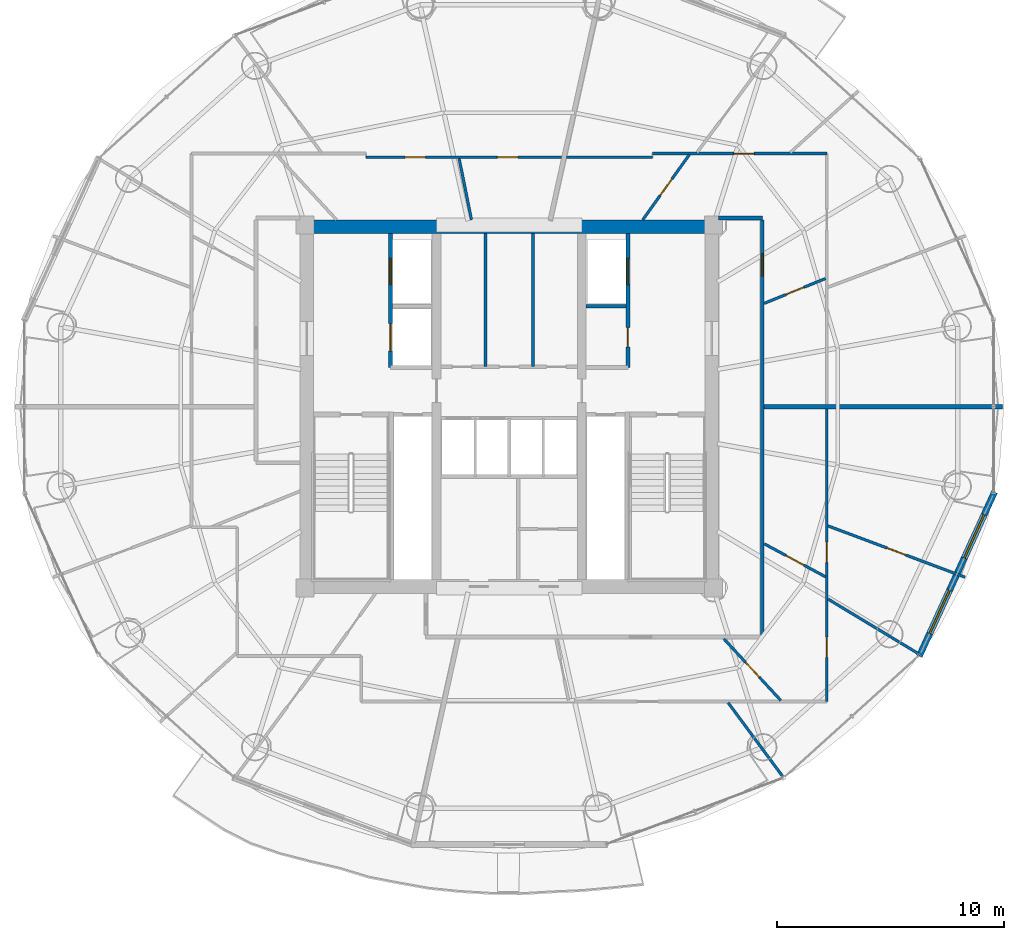
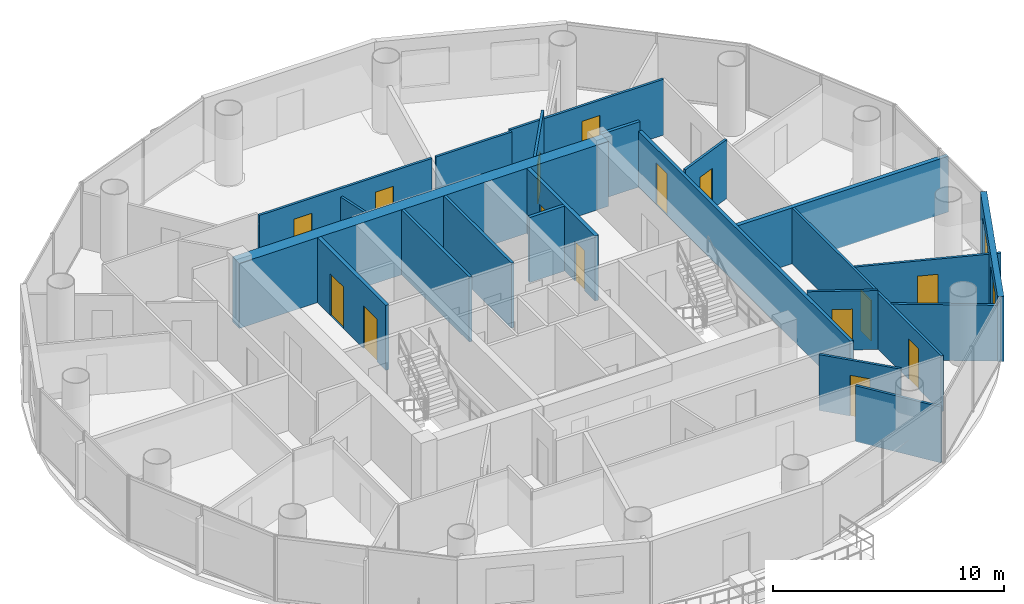
# One storey, part 22 of 26: 22 walls, 15 doors, 2 windows, 17 openings.
"""IFC4 building model written with IfcOpenShell, lengths in metres."""

from ifc_helpers import new_model, si_unit, direction, frame, frame_2d, origin, place, context, subcontext, project, spatial, rectangle, extrude, source, transform, mapped, material, layer, layer_set, type_object, element, fill, save


model = new_model("IFC4")

# Units and contexts
model_context = context("Model", 3, precision=1e-05, world=origin(), true_north=direction((-0.2419218956, 0.970295726276)))
body_context = subcontext(model_context, "Body", "Model", "MODEL_VIEW")
ifc_project = project(units=[si_unit("LENGTHUNIT", "METRE"), si_unit("AREAUNIT", "SQUARE_METRE"), si_unit("VOLUMEUNIT", "CUBIC_METRE"), si_unit("PLANEANGLEUNIT", "RADIAN"), si_unit("MASSUNIT", "GRAM", prefix="KILO")], contexts=[model_context])

# Site, building, storey
site_placement = place(None, origin())
site = spatial("IfcSite", under=ifc_project, at=site_placement, CompositionType="ELEMENT")
building_placement = place(site_placement, origin())
building = spatial("IfcBuilding", under=site, at=building_placement, Name="Cobrevalo Terracotta Tower", CompositionType="ELEMENT")
storey_placement = place(building_placement, frame((0.0, 0.0, 213.39990234375)))
storey = spatial("IfcBuildingStorey", under=building, at=storey_placement, Name="L56", CompositionType="ELEMENT", Elevation=213.39990234375)

# Walls
ifc_material_1 = material(Name="Concrete C55", Category="concrete")
ifc_layer_1 = layer(ifc_material_1, 0.60009765625)
ifc_layer_set_1 = layer_set([ifc_layer_1], Name="Concrete C55")
wall_type_1 = type_object("IfcWallType", Name="Core shear wall 600 mm Concrete C55", PredefinedType="SHEAR", material=ifc_layer_set_1)
wall_1_placement = place(storey_placement, frame((28.77490234375, 34.72509765625, 0.0), z_axis=(0.0, 0.0, 1.0), x_axis=(1.0, 0.0, 0.0)))
element("IfcWall", 1, at=wall_1_placement, inside=storey, type_object=wall_type_1, Name="L56 north core shear wall", PredefinedType="SHEAR", context=body_context, shape_type="SweptSolid", body=[
    extrude(rectangle(XDim=18.4501953125, YDim=0.60009765625, at=frame_2d((9.22509765625, 0.0))), origin(), (0.0, 0.0, 1.0), 3.43505859375),
])
ifc_material_2 = material(Name="Gypsum board on steel stud", Category="steel")
ifc_layer_2 = layer(ifc_material_2, 0.159912109375)
ifc_layer_set_2 = layer_set([ifc_layer_2], Name="Gypsum board on steel stud")
wall_type_2 = type_object("IfcWallType", Name="Fire-rated corridor acoustic partition wall 160 mm", PredefinedType="PARTITIONING", material=ifc_layer_set_2)
wall_2_placement = place(storey_placement, frame((41.389892578125, 31.219970703125, 0.0), z_axis=(0.0, 0.0, 1.0), x_axis=(1.0, 0.0, 0.0)))
element("IfcWall", 2, at=wall_2_placement, inside=storey, type_object=wall_type_2, Name="L56 interior partition IW-L56-FF2-M", PredefinedType="PARTITIONING", context=body_context, shape_type="SweptSolid", body=[
    extrude(rectangle(XDim=1.75, YDim=0.159912109375, at=frame_2d((0.875, 0.0))), origin(), (0.0, 0.0, 1.0), 3.43505859375),
])

# Wall, opening, door
wall_3_placement = place(storey_placement, frame((49.155029296875, 16.72509765625, 0.0), z_axis=(0.0, 0.0, 1.0), x_axis=(0.0, 1.0, 0.0)))
wall_3 = element("IfcWall", 3, at=wall_3_placement, inside=storey, type_object=wall_type_2, Name="L56 interior partition IW-L56-COR-E", PredefinedType="PARTITIONING", context=body_context, shape_type="SweptSolid", body=[
    extrude(rectangle(XDim=18.2998046875, YDim=0.159912109375, at=frame_2d((9.14990234375, 0.0))), origin(), (0.0, 0.0, 1.0), 2.951171875),
])
opening_1_placement = place(wall_3_placement, frame((15.836669921875, 0.0, 0.0)))
opening_1 = element("IfcOpeningElement", 4, at=opening_1_placement, cuts=wall_3, Name="Opening ID-05", PredefinedType="OPENING", context=body_context, shape_type="SweptSolid", body=[
    extrude(rectangle(XDim=0.97998046875, YDim=2.199951171875, at=frame_2d((0.489990234375, 1.10009765625))), frame((0.0, 0.08984375, 0.0), z_axis=(0.0, -1.0, 0.0), x_axis=(1.0, 0.0, 0.0)), (0.0, 0.0, 1.0), 0.179931640625),
])
ifc_material_3 = material(Name="Solid hardwood timber", Category="wood")
door_type_1 = type_object("IfcDoorType", Name="Residence entrance fire-rated acoustic timber door 980x2200 EI 60", OperationType="NOTDEFINED", PredefinedType="DOOR", material=ifc_material_3)
shared_shape_1 = source(origin(), body_context, "Body", "SweptSolid", [
    extrude(rectangle(XDim=0.97998046875, YDim=2.199951171875, at=frame_2d((0.489990234375, 1.10009765625))), frame((0.0, 0.02490234375, 0.0), z_axis=(0.0, -1.0, 0.0), x_axis=(1.0, 0.0, 0.0)), (0.0, 0.0, 1.0), 0.050048828125),
])
door_1_placement = place(opening_1_placement, frame((0.97998046875, 0.0, 0.0), z_axis=(0.0, 0.0, 1.0), x_axis=(-1.0, 0.0, 0.0)))
door_1 = element("IfcDoor", 5, at=door_1_placement, inside=storey, type_object=door_type_1, Name="Flat L56A fire-rated apartment entrance door", OperationType="SINGLE_SWING_RIGHT", OverallHeight=2.199951171875, OverallWidth=0.97998046875, PredefinedType="DOOR", context=body_context, shape_type="MappedRepresentation", body=[
    mapped(shared_shape_1, transform((0.0, 0.0, 0.0), scale=1.0)),
])
fill(opening_1, door_1)

# Wall
wall_4_placement = place(storey_placement, frame((47.22509765625, 35.10498046875, 0.0), z_axis=(0.0, 0.0, 1.0), x_axis=(1.0, 0.0, 0.0)))
element("IfcWall", 6, at=wall_4_placement, inside=storey, type_object=wall_type_2, Name="L56 interior partition IW-L56-COR-EN-CAP", PredefinedType="PARTITIONING", context=body_context, shape_type="SweptSolid", body=[
    extrude(rectangle(XDim=1.929931640625, YDim=0.159912109375, at=frame_2d((0.96484375, 0.0))), origin(), (0.0, 0.0, 1.0), 3.43505859375),
])

# Wall, openings, doors
ifc_layer_3 = layer(ifc_material_2, 0.179931640625)
ifc_layer_set_3 = layer_set([ifc_layer_3], Name="Gypsum board on steel stud")
wall_type_3 = type_object("IfcWallType", Name="Fire-rated shaft & lobby acoustic partition wall 180 mm", PredefinedType="PARTITIONING", material=ifc_layer_set_3)
wall_5_placement = place(storey_placement, frame((32.77001953125, 28.52001953125, 0.0), z_axis=(0.0, 0.0, 1.0), x_axis=(0.0, 1.0, 0.0)))
wall_5 = element("IfcWall", 7, at=wall_5_placement, inside=storey, type_object=wall_type_3, Name="L56 interior partition IW-L56-FF1-W", PredefinedType="PARTITIONING", context=body_context, shape_type="SweptSolid", body=[
    extrude(rectangle(XDim=5.905029296875, YDim=0.179931640625, at=frame_2d((2.95263671875, 0.0))), origin(), (0.0, 0.0, 1.0), 3.43505859375),
])
opening_2_placement = place(wall_5_placement, frame((3.655029296875, 0.0, 0.0)))
opening_2 = element("IfcOpeningElement", 8, at=opening_2_placement, cuts=wall_5, Name="Opening LD-02", PredefinedType="OPENING", context=body_context, shape_type="SweptSolid", body=[
    extrude(rectangle(XDim=1.14990234375, YDim=2.199951171875, at=frame_2d((0.574951171875, 1.10009765625))), frame((0.0, 0.10009765625, 0.0), z_axis=(0.0, -1.0, 0.0), x_axis=(1.0, 0.0, 0.0)), (0.0, 0.0, 1.0), 0.199951171875),
])
opening_3_placement = place(wall_5_placement, frame((0.72998046875, 0.0, 0.0)))
opening_3 = element("IfcOpeningElement", 9, at=opening_3_placement, cuts=wall_5, Name="Opening LD-03", PredefinedType="OPENING", context=body_context, shape_type="SweptSolid", body=[
    extrude(rectangle(XDim=1.199951171875, YDim=2.25, at=frame_2d((0.60009765625, 1.125))), frame((0.0, 0.10009765625, 0.0), z_axis=(0.0, -1.0, 0.0), x_axis=(1.0, 0.0, 0.0)), (0.0, 0.0, 1.0), 0.199951171875),
])
ifc_material_4 = material(Name="Brushed stainless steel", Category="steel")
door_type_2 = type_object("IfcDoorType", Name="Firefighting lift landing bi-parting sliding door 1150x2200 EI 120", OperationType="DOUBLE_DOOR_SLIDING", PredefinedType="DOOR", material=ifc_material_4)
shared_shape_2 = source(origin(), body_context, "Body", "SweptSolid", [
    extrude(rectangle(XDim=1.14990234375, YDim=2.199951171875, at=frame_2d((0.574951171875, 1.10009765625))), frame((0.0, 0.02490234375, 0.0), z_axis=(0.0, -1.0, 0.0), x_axis=(1.0, 0.0, 0.0)), (0.0, 0.0, 1.0), 0.050048828125),
])
door_2_placement = place(opening_2_placement, origin())
door_2 = element("IfcDoor", 10, at=door_2_placement, inside=storey, type_object=door_type_2, Name="L56 lift landing door FF-1", OperationType="DOUBLE_DOOR_SLIDING", OverallHeight=2.199951171875, OverallWidth=1.14990234375, PredefinedType="DOOR", context=body_context, shape_type="MappedRepresentation", body=[
    mapped(shared_shape_2, transform((0.0, 0.0, 0.0), scale=1.0)),
])
fill(opening_2, door_2)
door_type_3 = type_object("IfcDoorType", Name="Service lift landing bi-parting sliding door 1200x2250 EI 120", OperationType="DOUBLE_DOOR_SLIDING", PredefinedType="DOOR", material=ifc_material_4)
shared_shape_3 = source(origin(), body_context, "Body", "SweptSolid", [
    extrude(rectangle(XDim=1.199951171875, YDim=2.25, at=frame_2d((0.60009765625, 1.125))), frame((0.0, 0.02490234375, 0.0), z_axis=(0.0, -1.0, 0.0), x_axis=(1.0, 0.0, 0.0)), (0.0, 0.0, 1.0), 0.050048828125),
])
door_3_placement = place(opening_3_placement, origin())
door_3 = element("IfcDoor", 11, at=door_3_placement, inside=storey, type_object=door_type_3, Name="L56 lift landing door SV-1", OperationType="DOUBLE_DOOR_SLIDING", OverallHeight=2.25, OverallWidth=1.199951171875, PredefinedType="DOOR", context=body_context, shape_type="MappedRepresentation", body=[
    mapped(shared_shape_3, transform((0.0, 0.0, 0.0), scale=1.0)),
])
fill(opening_3, door_3)

wall_6_placement = place(storey_placement, frame((43.22998046875, 28.52001953125, 0.0), z_axis=(0.0, 0.0, 1.0), x_axis=(0.0, 1.0, 0.0)))
wall_6 = element("IfcWall", 12, at=wall_6_placement, inside=storey, type_object=wall_type_3, Name="L56 interior partition IW-L56-FF2-E", PredefinedType="PARTITIONING", context=body_context, shape_type="SweptSolid", body=[
    extrude(rectangle(XDim=5.905029296875, YDim=0.179931640625, at=frame_2d((2.95263671875, 0.0))), origin(), (0.0, 0.0, 1.0), 3.43505859375),
])
opening_4_placement = place(wall_6_placement, frame((0.905029296875, 0.0, 0.0)))
opening_4 = element("IfcOpeningElement", 13, at=opening_4_placement, cuts=wall_6, Name="Opening ID-22", PredefinedType="OPENING", context=body_context, shape_type="SweptSolid", body=[
    extrude(rectangle(XDim=0.85009765625, YDim=2.10009765625, at=frame_2d((0.425048828125, 1.050048828125))), frame((0.0, 0.10009765625, 0.0), z_axis=(0.0, -1.0, 0.0), x_axis=(1.0, 0.0, 0.0)), (0.0, 0.0, 1.0), 0.199951171875),
])
opening_5_placement = place(wall_6_placement, frame((3.655029296875, 0.0, 0.0)))
opening_5 = element("IfcOpeningElement", 14, at=opening_5_placement, cuts=wall_6, Name="Opening LD-02", PredefinedType="OPENING", context=body_context, shape_type="SweptSolid", body=[
    extrude(rectangle(XDim=1.14990234375, YDim=2.199951171875, at=frame_2d((0.574951171875, 1.10009765625))), frame((0.0, 0.10009765625, 0.0), z_axis=(0.0, -1.0, 0.0), x_axis=(1.0, 0.0, 0.0)), (0.0, 0.0, 1.0), 0.199951171875),
])
ifc_material_5 = material(Name="Powder-coated steel", Category="steel")
door_type_4 = type_object("IfcDoorType", Name="Riser shaft & meter closet fire access door 850x2100 EI 60", OperationType="NOTDEFINED", PredefinedType="DOOR", material=ifc_material_5)
shared_shape_4 = source(origin(), body_context, "Body", "SweptSolid", [
    extrude(rectangle(XDim=0.85009765625, YDim=2.10009765625, at=frame_2d((0.425048828125, 1.050048828125))), frame((0.0, 0.02490234375, 0.0), z_axis=(0.0, -1.0, 0.0), x_axis=(1.0, 0.0, 0.0)), (0.0, 0.0, 1.0), 0.050048828125),
])
door_4_placement = place(opening_4_placement, frame((0.85009765625, 0.0, 0.0), z_axis=(0.0, 0.0, 1.0), x_axis=(-1.0, 0.0, 0.0)))
door_4 = element("IfcDoor", 15, at=door_4_placement, inside=storey, type_object=door_type_4, Name="L56 housekeeping store door", OperationType="SINGLE_SWING_RIGHT", OverallHeight=2.10009765625, OverallWidth=0.85009765625, PredefinedType="DOOR", context=body_context, shape_type="MappedRepresentation", body=[
    mapped(shared_shape_4, transform((0.0, 0.0, 0.0), scale=1.0)),
])
fill(opening_4, door_4)
door_5_placement = place(opening_5_placement, origin())
door_5 = element("IfcDoor", 16, at=door_5_placement, inside=storey, type_object=door_type_2, Name="L56 lift landing door FF-2", OperationType="DOUBLE_DOOR_SLIDING", OverallHeight=2.199951171875, OverallWidth=1.14990234375, PredefinedType="DOOR", context=body_context, shape_type="MappedRepresentation", body=[
    mapped(shared_shape_2, transform((0.0, 0.0, 0.0), scale=1.0)),
])
fill(opening_5, door_5)

# Wall
ifc_material_6 = material(Name="Autoclaved aerated concrete block", Category="concrete")
ifc_layer_4 = layer(ifc_material_6, 0.199951171875)
ifc_layer_set_4 = layer_set([ifc_layer_4], Name="Autoclaved aerated concrete block")
wall_type_4 = type_object("IfcWallType", Name="Fire-rated stair, shaft & demising masonry wall 200 mm", PredefinedType="PARTITIONING", material=ifc_layer_set_4)
wall_7_placement = place(storey_placement, frame((49.237060546875, 26.800048828125, 0.0), z_axis=(0.0, 0.0, 1.0), x_axis=(1.0, 0.0, 0.0)))
element("IfcWall", 17, at=wall_7_placement, inside=storey, type_object=wall_type_4, Name="L56 interior partition IW-L56-DEM-1", PredefinedType="PARTITIONING", context=body_context, shape_type="SweptSolid", body=[
    extrude(rectangle(XDim=10.5029296875, YDim=0.199951171875, at=frame_2d((5.25146484375, 0.0))), origin(), (0.0, 0.0, 1.0), 2.951171875),
])

# Wall, openings, windows
ifc_layer_5 = layer(ifc_material_6, 0.280029296875)
ifc_layer_set_5 = layer_set([ifc_layer_5], Name="Autoclaved aerated concrete block")
wall_type_5 = type_object("IfcWallType", Name="Insulated tower spandrel & pier wall 280 mm with terracotta rainscreen", PredefinedType="SOLIDWALL", material=ifc_layer_set_5)
wall_8_placement = place(storey_placement, frame((56.06787109375, 15.79931640625, 0.0), z_axis=(0.0, 0.0, 1.0), x_axis=(0.416717018135, 0.909036262641, 0.0)))
wall_8 = element("IfcWall", 18, at=wall_8_placement, inside=storey, type_object=wall_type_5, Name="L56 terracotta rainscreen pier wall S15", PredefinedType="SOLIDWALL", context=body_context, shape_type="SweptSolid", body=[
    extrude(rectangle(XDim=7.960205078125, YDim=0.280029296875, at=frame_2d((3.97998046875, 0.0))), origin(), (0.0, 0.0, 1.0), 3.43505859375),
])
opening_6_placement = place(wall_8_placement, frame((1.099365234375, 0.0, 0.85009765625)))
opening_6 = element("IfcOpeningElement", 19, at=opening_6_placement, cuts=wall_8, Name="Opening WN-10", PredefinedType="OPENING", context=body_context, shape_type="SweptSolid", body=[
    extrude(rectangle(XDim=2.10009765625, YDim=1.949951171875, at=frame_2d((1.050048828125, 0.97509765625))), frame((0.0, 0.14990234375, 0.0), z_axis=(0.0, -1.0, 0.0), x_axis=(1.0, 0.0, 0.0)), (0.0, 0.0, 1.0), 0.300048828125),
])
opening_7_placement = place(wall_8_placement, frame((4.760986328125, 0.0, 0.85009765625)))
opening_7 = element("IfcOpeningElement", 20, at=opening_7_placement, cuts=wall_8, Name="Opening WN-10", PredefinedType="OPENING", context=body_context, shape_type="SweptSolid", body=[
    extrude(rectangle(XDim=2.10009765625, YDim=1.949951171875, at=frame_2d((1.050048828125, 0.97509765625))), frame((0.0, 0.14990234375, 0.0), z_axis=(0.0, -1.0, 0.0), x_axis=(1.0, 0.0, 0.0)), (0.0, 0.0, 1.0), 0.300048828125),
])
ifc_material_7 = material(Name="Solar-control low-E double glazing", Category="glass")
window_type = type_object("IfcWindowType", Name="Wide panoramic low-E aluminium window 2100x1950", PartitioningType="SINGLE_PANEL", PredefinedType="WINDOW", material=ifc_material_7)
shared_shape_5 = source(origin(), body_context, "Body", "SweptSolid", [
    extrude(rectangle(XDim=2.10009765625, YDim=1.949951171875, at=frame_2d((1.050048828125, 0.97509765625))), frame((0.0, 0.030029296875, 0.0), z_axis=(0.0, -1.0, 0.0), x_axis=(1.0, 0.0, 0.0)), (0.0, 0.0, 1.0), 0.06005859375),
])
window_1_placement = place(opening_6_placement, origin())
window_1 = element("IfcWindow", 21, at=window_1_placement, inside=storey, type_object=window_type, Name="L56 suite window S15A", OverallHeight=1.949951171875, OverallWidth=2.10009765625, PartitioningType="SINGLE_PANEL", PredefinedType="WINDOW", context=body_context, shape_type="MappedRepresentation", body=[
    mapped(shared_shape_5, transform((0.0, 0.0, 0.0), scale=1.0)),
])
fill(opening_6, window_1)
window_2_placement = place(opening_7_placement, origin())
window_2 = element("IfcWindow", 22, at=window_2_placement, inside=storey, type_object=window_type, Name="L56 suite window S15B", OverallHeight=1.949951171875, OverallWidth=2.10009765625, PartitioningType="SINGLE_PANEL", PredefinedType="WINDOW", context=body_context, shape_type="MappedRepresentation", body=[
    mapped(shared_shape_5, transform((0.0, 0.0, 0.0), scale=1.0)),
])
fill(opening_7, window_2)

# Walls
ifc_layer_6 = layer(ifc_material_6, 0.139892578125)
ifc_layer_set_6 = layer_set([ifc_layer_6], Name="Autoclaved aerated concrete block")
wall_type_6 = type_object("IfcWallType", Name="Moisture-resistant wet-room & core service partition 140 mm", PredefinedType="PARTITIONING", material=ifc_layer_set_6)
for number, where, z_axis, x_axis, name in (
    (23, (36.949951171875, 28.56005859375, 0.0), (0.0, 0.0, 1.0), (0.0, 1.0, 0.0), "L56 interior partition IW-L56-KVN-A"),
    (24, (39.050048828125, 28.56005859375, 0.0), (0.0, 0.0, 1.0), (0.0, 1.0, 0.0), "L56 interior partition IW-L56-KVN-B"),
):
    element("IfcWall", number, at=place(storey_placement, frame(where, z_axis=z_axis, x_axis=x_axis)), inside=storey, type_object=wall_type_6, Name=name, PredefinedType="PARTITIONING", context=body_context, shape_type="SweptSolid", body=[
        extrude(rectangle(XDim=5.864990234375, YDim=0.139892578125, at=frame_2d((2.9326171875, 0.0))), origin(), (0.0, 0.0, 1.0), 3.43505859375),
    ])
ifc_layer_7 = layer(ifc_material_2, 0.1201171875)
ifc_layer_set_7 = layer_set([ifc_layer_7], Name="Gypsum board on steel stud")
wall_type_7 = type_object("IfcWallType", Name="Residential internal acoustic stud partition 120 mm", PredefinedType="PARTITIONING", material=ifc_layer_set_7)
wall_9_placement = place(storey_placement, frame((40.52001953125, 37.784912109375, 0.0), z_axis=(0.0, 0.0, 1.0), x_axis=(1.0, 0.0, 0.0)))
element("IfcWall", 25, at=wall_9_placement, inside=storey, type_object=wall_type_7, Name="L56 interior partition IW-L56-U1-RING0_0", PredefinedType="PARTITIONING", context=body_context, shape_type="SweptSolid", body=[
    extrude(rectangle(XDim=3.784912109375, YDim=0.1201171875, at=frame_2d((1.892578125, 0.0))), origin(), (0.0, 0.0, 1.0), 2.951171875),
])

# Wall, opening, door
wall_10_placement = place(storey_placement, frame((44.304931640625, 37.945068359375, 0.0), z_axis=(0.0, 0.0, 1.0), x_axis=(1.0, 0.0, 0.0)))
wall_10 = element("IfcWall", 26, at=wall_10_placement, inside=storey, type_object=wall_type_7, Name="L56 interior partition IW-L56-U1-RING2_0", PredefinedType="PARTITIONING", context=body_context, shape_type="SweptSolid", body=[
    extrude(rectangle(XDim=7.690185546875, YDim=0.1201171875, at=frame_2d((3.84521484375, 0.0))), origin(), (0.0, 0.0, 1.0), 2.951171875),
])
opening_8_placement = place(wall_10_placement, frame((3.591064453125, 0.0, 0.0)))
opening_8 = element("IfcOpeningElement", 27, at=opening_8_placement, cuts=wall_10, Name="Opening ID-12", PredefinedType="OPENING", context=body_context, shape_type="SweptSolid", body=[
    extrude(rectangle(XDim=0.89990234375, YDim=2.14990234375, at=frame_2d((0.449951171875, 1.074951171875))), frame((0.0, 0.070068359375, 0.0), z_axis=(0.0, -1.0, 0.0), x_axis=(1.0, 0.0, 0.0)), (0.0, 0.0, 1.0), 0.14013671875),
])
ifc_material_8 = material(Name="Engineered timber", Category="wood")
door_type_5 = type_object("IfcDoorType", Name="Internal residence & suite timber door 900x2150", OperationType="NOTDEFINED", PredefinedType="DOOR", material=ifc_material_8)
shared_shape_6 = source(origin(), body_context, "Body", "SweptSolid", [
    extrude(rectangle(XDim=0.89990234375, YDim=2.14990234375, at=frame_2d((0.449951171875, 1.074951171875))), frame((0.0, 0.02490234375, 0.0), z_axis=(0.0, -1.0, 0.0), x_axis=(1.0, 0.0, 0.0)), (0.0, 0.0, 1.0), 0.050048828125),
])
door_6_placement = place(opening_8_placement, origin())
door_6 = element("IfcDoor", 28, at=door_6_placement, inside=storey, type_object=door_type_5, Name="Flat L56A Principal Guest Bedroom internal door", OperationType="SINGLE_SWING_RIGHT", OverallHeight=2.14990234375, OverallWidth=0.89990234375, PredefinedType="DOOR", context=body_context, shape_type="MappedRepresentation", body=[
    mapped(shared_shape_6, transform((0.0, 0.0, 0.0), scale=1.0)),
])
fill(opening_8, door_6)

wall_11_placement = place(storey_placement, frame((49.23681640625, 31.347412109375, 0.0), z_axis=(0.0, 0.0, 1.0), x_axis=(0.926960690293, 0.375158471383, 0.0)))
wall_11 = element("IfcWall", 29, at=wall_11_placement, inside=storey, type_object=wall_type_7, Name="L56 interior partition IW-L56-U1-IRAD1", PredefinedType="PARTITIONING", context=body_context, shape_type="SweptSolid", body=[
    extrude(rectangle(XDim=2.91357421875, YDim=0.1201171875, at=frame_2d((1.456787109375, 0.0))), origin(), (0.0, 0.0, 1.0), 3.110107421875),
])
opening_9_placement = place(wall_11_placement, frame((1.026611328125, 0.0, 0.0)))
opening_9 = element("IfcOpeningElement", 30, at=opening_9_placement, cuts=wall_11, Name="Opening ID-19", PredefinedType="OPENING", context=body_context, shape_type="SweptSolid", body=[
    extrude(rectangle(XDim=0.860107421875, YDim=2.14990234375, at=frame_2d((0.43017578125, 1.074951171875))), frame((0.0, 0.070068359375, 0.0), z_axis=(0.0, -1.0, 0.0), x_axis=(1.0, 0.0, 0.0)), (0.0, 0.0, 1.0), 0.14013671875),
])
ifc_material_9 = material(Name="Moisture-sealed timber", Category="wood")
door_type_6 = type_object("IfcDoorType", Name="Suite bathroom internal timber door 860x2150", OperationType="NOTDEFINED", PredefinedType="DOOR", material=ifc_material_9)
shared_shape_7 = source(origin(), body_context, "Body", "SweptSolid", [
    extrude(rectangle(XDim=0.860107421875, YDim=2.14990234375, at=frame_2d((0.43017578125, 1.074951171875))), frame((0.0, 0.02490234375, 0.0), z_axis=(0.0, -1.0, 0.0), x_axis=(1.0, 0.0, 0.0)), (0.0, 0.0, 1.0), 0.050048828125),
])
door_7_placement = place(opening_9_placement, frame((0.860107421875, 0.0, 0.0), z_axis=(0.0, 0.0, 1.0), x_axis=(-1.0, 0.0, 0.0)))
door_7 = element("IfcDoor", 31, at=door_7_placement, inside=storey, type_object=door_type_6, Name="Flat L56A Primary Bathroom internal door", OperationType="SINGLE_SWING_LEFT", OverallHeight=2.14990234375, OverallWidth=0.860107421875, PredefinedType="DOOR", context=body_context, shape_type="MappedRepresentation", body=[
    mapped(shared_shape_7, transform((0.0, 0.0, 0.0), scale=1.0)),
])
fill(opening_9, door_7)

wall_12_placement = place(storey_placement, frame((43.884521484375, 35.026611328125, 0.0), z_axis=(0.0, 0.0, 1.0), x_axis=(0.581801309538, 0.813330951225, 0.0)))
wall_12 = element("IfcWall", 32, at=wall_12_placement, inside=storey, type_object=wall_type_7, Name="L56 interior partition IW-L56-U1-IRAD2", PredefinedType="PARTITIONING", context=body_context, shape_type="SweptSolid", body=[
    extrude(rectangle(XDim=3.526123046875, YDim=0.1201171875, at=frame_2d((1.76318359375, 0.0))), origin(), (0.0, 0.0, 1.0), 3.43505859375),
])
opening_10_placement = place(wall_12_placement, frame((1.31298828125, 0.0, 0.0)))
opening_10 = element("IfcOpeningElement", 33, at=opening_10_placement, cuts=wall_12, Name="Opening ID-12", PredefinedType="OPENING", context=body_context, shape_type="SweptSolid", body=[
    extrude(rectangle(XDim=0.89990234375, YDim=2.14990234375, at=frame_2d((0.449951171875, 1.074951171875))), frame((0.0, 0.070068359375, 0.0), z_axis=(0.0, -1.0, 0.0), x_axis=(1.0, 0.0, 0.0)), (0.0, 0.0, 1.0), 0.14013671875),
])
door_8_placement = place(opening_10_placement, origin())
door_8 = element("IfcDoor", 34, at=door_8_placement, inside=storey, type_object=door_type_5, Name="Flat L56A Kitchen internal door", OperationType="SINGLE_SWING_RIGHT", OverallHeight=2.14990234375, OverallWidth=0.89990234375, PredefinedType="DOOR", context=body_context, shape_type="MappedRepresentation", body=[
    mapped(shared_shape_6, transform((0.0, 0.0, 0.0), scale=1.0)),
])
fill(opening_10, door_8)

# Wall, openings, doors
wall_13_placement = place(storey_placement, frame((31.695068359375, 37.784912109375, 0.0), z_axis=(0.0, 0.0, 1.0), x_axis=(1.0, 0.0, 0.0)))
wall_13 = element("IfcWall", 35, at=wall_13_placement, inside=storey, type_object=wall_type_7, Name="L56 interior partition IW-L56-U2-RING3_0", PredefinedType="PARTITIONING", context=body_context, shape_type="SweptSolid", body=[
    extrude(rectangle(XDim=8.620849609375, YDim=0.1201171875, at=frame_2d((4.310546875, 0.0))), origin(), (0.0, 0.0, 1.0), 2.951171875),
])
opening_11_placement = place(wall_13_placement, frame((1.716064453125, 0.0, 0.0)))
opening_11 = element("IfcOpeningElement", 36, at=opening_11_placement, cuts=wall_13, Name="Opening ID-12", PredefinedType="OPENING", context=body_context, shape_type="SweptSolid", body=[
    extrude(rectangle(XDim=0.89990234375, YDim=2.14990234375, at=frame_2d((0.449951171875, 1.074951171875))), frame((0.0, 0.070068359375, 0.0), z_axis=(0.0, -1.0, 0.0), x_axis=(1.0, 0.0, 0.0)), (0.0, 0.0, 1.0), 0.14013671875),
])
opening_12_placement = place(wall_13_placement, frame((5.7841796875, 0.0, 0.0)))
opening_12 = element("IfcOpeningElement", 37, at=opening_12_placement, cuts=wall_13, Name="Opening ID-12", PredefinedType="OPENING", context=body_context, shape_type="SweptSolid", body=[
    extrude(rectangle(XDim=0.89990234375, YDim=2.14990234375, at=frame_2d((0.449951171875, 1.074951171875))), frame((0.0, 0.070068359375, 0.0), z_axis=(0.0, -1.0, 0.0), x_axis=(1.0, 0.0, 0.0)), (0.0, 0.0, 1.0), 0.14013671875),
])
door_9_placement = place(opening_11_placement, frame((0.89990234375, 0.0, 0.0), z_axis=(0.0, 0.0, 1.0), x_axis=(-1.0, 0.0, 0.0)))
door_9 = element("IfcDoor", 38, at=door_9_placement, inside=storey, type_object=door_type_5, Name="Flat L56B Kitchen internal door", OperationType="SINGLE_SWING_LEFT", OverallHeight=2.14990234375, OverallWidth=0.89990234375, PredefinedType="DOOR", context=body_context, shape_type="MappedRepresentation", body=[
    mapped(shared_shape_6, transform((0.0, 0.0, 0.0), scale=1.0)),
])
fill(opening_11, door_9)
door_10_placement = place(opening_12_placement, frame((0.89990234375, 0.0, 0.0), z_axis=(0.0, 0.0, 1.0), x_axis=(-1.0, 0.0, 0.0)))
door_10 = element("IfcDoor", 39, at=door_10_placement, inside=storey, type_object=door_type_5, Name="Flat L56B Home Office Study internal door", OperationType="SINGLE_SWING_RIGHT", OverallHeight=2.14990234375, OverallWidth=0.89990234375, PredefinedType="DOOR", context=body_context, shape_type="MappedRepresentation", body=[
    mapped(shared_shape_6, transform((0.0, 0.0, 0.0), scale=1.0)),
])
fill(opening_12, door_10)

# Wall
wall_14_placement = place(storey_placement, frame((36.3388671875, 35.02685546875, 0.0), z_axis=(0.0, 0.0, 1.0), x_axis=(-0.197856196381, 0.980231057228, 0.0)))
element("IfcWall", 40, at=wall_14_placement, inside=storey, type_object=wall_type_7, Name="L56 interior partition IW-L56-U2-IRAD1", PredefinedType="PARTITIONING", context=body_context, shape_type="SweptSolid", body=[
    extrude(rectangle(XDim=2.751708984375, YDim=0.1201171875, at=frame_2d((1.3759765625, 0.0))), origin(), (0.0, 0.0, 1.0), 2.52001953125),
])

# Wall, openings, doors
wall_15_placement = place(storey_placement, frame((51.9951171875, 26.697998046875, 0.0), z_axis=(0.0, 0.0, 1.0), x_axis=(0.0, -1.0, 0.0)))
wall_15 = element("IfcWall", 41, at=wall_15_placement, inside=storey, type_object=wall_type_7, Name="L56 interior partition IW-L56-U4-RING0_0", PredefinedType="PARTITIONING", context=body_context, shape_type="SweptSolid", body=[
    extrude(rectangle(XDim=12.89306640625, YDim=0.1201171875, at=frame_2d((6.446533203125, 0.0))), origin(), (0.0, 0.0, 1.0), 2.951171875),
])
opening_13_placement = place(wall_15_placement, frame((10.05078125, 0.0, 0.0)))
opening_13 = element("IfcOpeningElement", 42, at=opening_13_placement, cuts=wall_15, Name="Opening ID-12", PredefinedType="OPENING", context=body_context, shape_type="SweptSolid", body=[
    extrude(rectangle(XDim=0.89990234375, YDim=2.14990234375, at=frame_2d((0.449951171875, 1.074951171875))), frame((0.0, 0.070068359375, 0.0), z_axis=(0.0, -1.0, 0.0), x_axis=(1.0, 0.0, 0.0)), (0.0, 0.0, 1.0), 0.14013671875),
])
opening_14_placement = place(wall_15_placement, frame((5.872802734375, 0.0, 0.0)))
opening_14 = element("IfcOpeningElement", 43, at=opening_14_placement, cuts=wall_15, Name="Opening ID-12", PredefinedType="OPENING", context=body_context, shape_type="SweptSolid", body=[
    extrude(rectangle(XDim=0.89990234375, YDim=2.14990234375, at=frame_2d((0.449951171875, 1.074951171875))), frame((0.0, 0.070068359375, 0.0), z_axis=(0.0, -1.0, 0.0), x_axis=(1.0, 0.0, 0.0)), (0.0, 0.0, 1.0), 0.14013671875),
])
door_11_placement = place(opening_13_placement, origin())
door_11 = element("IfcDoor", 44, at=door_11_placement, inside=storey, type_object=door_type_5, Name="Flat L56D Master Bedroom internal door", OperationType="SINGLE_SWING_LEFT", OverallHeight=2.14990234375, OverallWidth=0.89990234375, PredefinedType="DOOR", context=body_context, shape_type="MappedRepresentation", body=[
    mapped(shared_shape_6, transform((0.0, 0.0, 0.0), scale=1.0)),
])
fill(opening_13, door_11)
door_12_placement = place(opening_14_placement, origin())
door_12 = element("IfcDoor", 45, at=door_12_placement, inside=storey, type_object=door_type_5, Name="Flat L56D Principal Guest Bedroom internal door", OperationType="SINGLE_SWING_RIGHT", OverallHeight=2.14990234375, OverallWidth=0.89990234375, PredefinedType="DOOR", context=body_context, shape_type="MappedRepresentation", body=[
    mapped(shared_shape_6, transform((0.0, 0.0, 0.0), scale=1.0)),
])
fill(opening_14, door_12)

# Walls
wall_16_placement = place(storey_placement, frame((47.6455078125, 13.755126953125, 0.0), z_axis=(0.0, 0.0, 1.0), x_axis=(0.594518373783, -0.80408202519, 0.0)))
element("IfcWall", 46, at=wall_16_placement, inside=storey, type_object=wall_type_7, Name="L56 interior partition IW-L56-U4-ORAD1", PredefinedType="PARTITIONING", context=body_context, shape_type="SweptSolid", body=[
    extrude(rectangle(XDim=4.043701171875, YDim=0.1201171875, at=frame_2d((2.02197265625, 0.0))), origin(), (0.0, 0.0, 1.0), 2.951171875),
])
wall_17_placement = place(storey_placement, frame((52.048095703125, 18.317626953125, 0.0), z_axis=(0.0, 0.0, 1.0), x_axis=(0.856051317976, -0.516890840499, 0.0)))
element("IfcWall", 47, at=wall_17_placement, inside=storey, type_object=wall_type_7, Name="L56 interior partition IW-L56-U4-ORAD2", PredefinedType="PARTITIONING", context=body_context, shape_type="SweptSolid", body=[
    extrude(rectangle(XDim=4.657958984375, YDim=0.1201171875, at=frame_2d((2.3291015625, 0.0))), origin(), (0.0, 0.0, 1.0), 2.951171875),
])

# Wall, opening, door
wall_18_placement = place(storey_placement, frame((52.052978515625, 21.539794921875, 0.0), z_axis=(0.0, 0.0, 1.0), x_axis=(0.936534700322, -0.350574892274, 0.0)))
wall_18 = element("IfcWall", 48, at=wall_18_placement, inside=storey, type_object=wall_type_7, Name="L56 interior partition IW-L56-U4-ORAD3M1", PredefinedType="PARTITIONING", context=body_context, shape_type="SweptSolid", body=[
    extrude(rectangle(XDim=6.43896484375, YDim=0.1201171875, at=frame_2d((3.219482421875, 0.0))), origin(), (0.0, 0.0, 1.0), 2.951171875),
])
opening_15_placement = place(wall_18_placement, frame((2.769287109375, 0.0, 0.0)))
opening_15 = element("IfcOpeningElement", 49, at=opening_15_placement, cuts=wall_18, Name="Opening ID-12", PredefinedType="OPENING", context=body_context, shape_type="SweptSolid", body=[
    extrude(rectangle(XDim=0.89990234375, YDim=2.14990234375, at=frame_2d((0.449951171875, 1.074951171875))), frame((0.0, 0.070068359375, 0.0), z_axis=(0.0, -1.0, 0.0), x_axis=(1.0, 0.0, 0.0)), (0.0, 0.0, 1.0), 0.14013671875),
])
door_13_placement = place(opening_15_placement, origin())
door_13 = element("IfcDoor", 50, at=door_13_placement, inside=storey, type_object=door_type_5, Name="Flat L56D Penthouse Family Lounge internal door", OperationType="SINGLE_SWING_LEFT", OverallHeight=2.14990234375, OverallWidth=0.89990234375, PredefinedType="DOOR", context=body_context, shape_type="MappedRepresentation", body=[
    mapped(shared_shape_6, transform((0.0, 0.0, 0.0), scale=1.0)),
])
fill(opening_15, door_13)

wall_19_placement = place(storey_placement, frame((47.46044921875, 16.56494140625, 0.0), z_axis=(0.0, 0.0, 1.0), x_axis=(0.678787443458, -0.734334805524, 0.0)))
wall_19 = element("IfcWall", 51, at=wall_19_placement, inside=storey, type_object=wall_type_7, Name="L56 interior partition IW-L56-U4-IRAD2", PredefinedType="PARTITIONING", context=body_context, shape_type="SweptSolid", body=[
    extrude(rectangle(XDim=3.6962890625, YDim=0.1201171875, at=frame_2d((1.84814453125, 0.0))), origin(), (0.0, 0.0, 1.0), 2.951171875),
])
opening_16_placement = place(wall_19_placement, frame((1.398193359375, 0.0, 0.0)))
opening_16 = element("IfcOpeningElement", 52, at=opening_16_placement, cuts=wall_19, Name="Opening ID-12", PredefinedType="OPENING", context=body_context, shape_type="SweptSolid", body=[
    extrude(rectangle(XDim=0.89990234375, YDim=2.14990234375, at=frame_2d((0.449951171875, 1.074951171875))), frame((0.0, 0.070068359375, 0.0), z_axis=(0.0, -1.0, 0.0), x_axis=(1.0, 0.0, 0.0)), (0.0, 0.0, 1.0), 0.14013671875),
])
door_14_placement = place(opening_16_placement, origin())
door_14 = element("IfcDoor", 53, at=door_14_placement, inside=storey, type_object=door_type_5, Name="Flat L56D Kitchen internal door", OperationType="SINGLE_SWING_LEFT", OverallHeight=2.14990234375, OverallWidth=0.89990234375, PredefinedType="DOOR", context=body_context, shape_type="MappedRepresentation", body=[
    mapped(shared_shape_6, transform((0.0, 0.0, 0.0), scale=1.0)),
])
fill(opening_16, door_14)

wall_20_placement = place(storey_placement, frame((49.23681640625, 20.75341796875, 0.0), z_axis=(0.0, 0.0, 1.0), x_axis=(0.880601289356, -0.473857963091, 0.0)))
wall_20 = element("IfcWall", 54, at=wall_20_placement, inside=storey, type_object=wall_type_7, Name="L56 interior partition IW-L56-U4-IRAD3", PredefinedType="PARTITIONING", context=body_context, shape_type="SweptSolid", body=[
    extrude(rectangle(XDim=3.070068359375, YDim=0.1201171875, at=frame_2d((1.53515625, 0.0))), origin(), (0.0, 0.0, 1.0), 3.110107421875),
])
opening_17_placement = place(wall_20_placement, frame((1.085205078125, 0.0, 0.0)))
opening_17 = element("IfcOpeningElement", 55, at=opening_17_placement, cuts=wall_20, Name="Opening ID-12", PredefinedType="OPENING", context=body_context, shape_type="SweptSolid", body=[
    extrude(rectangle(XDim=0.89990234375, YDim=2.14990234375, at=frame_2d((0.449951171875, 1.074951171875))), frame((0.0, 0.070068359375, 0.0), z_axis=(0.0, -1.0, 0.0), x_axis=(1.0, 0.0, 0.0)), (0.0, 0.0, 1.0), 0.14013671875),
])
door_15_placement = place(opening_17_placement, origin())
door_15 = element("IfcDoor", 56, at=door_15_placement, inside=storey, type_object=door_type_5, Name="Flat L56D Home Office Study internal door", OperationType="SINGLE_SWING_RIGHT", OverallHeight=2.14990234375, OverallWidth=0.89990234375, PredefinedType="DOOR", context=body_context, shape_type="MappedRepresentation", body=[
    mapped(shared_shape_6, transform((0.0, 0.0, 0.0), scale=1.0)),
])
fill(opening_17, door_15)

save(model, "model.ifc")
